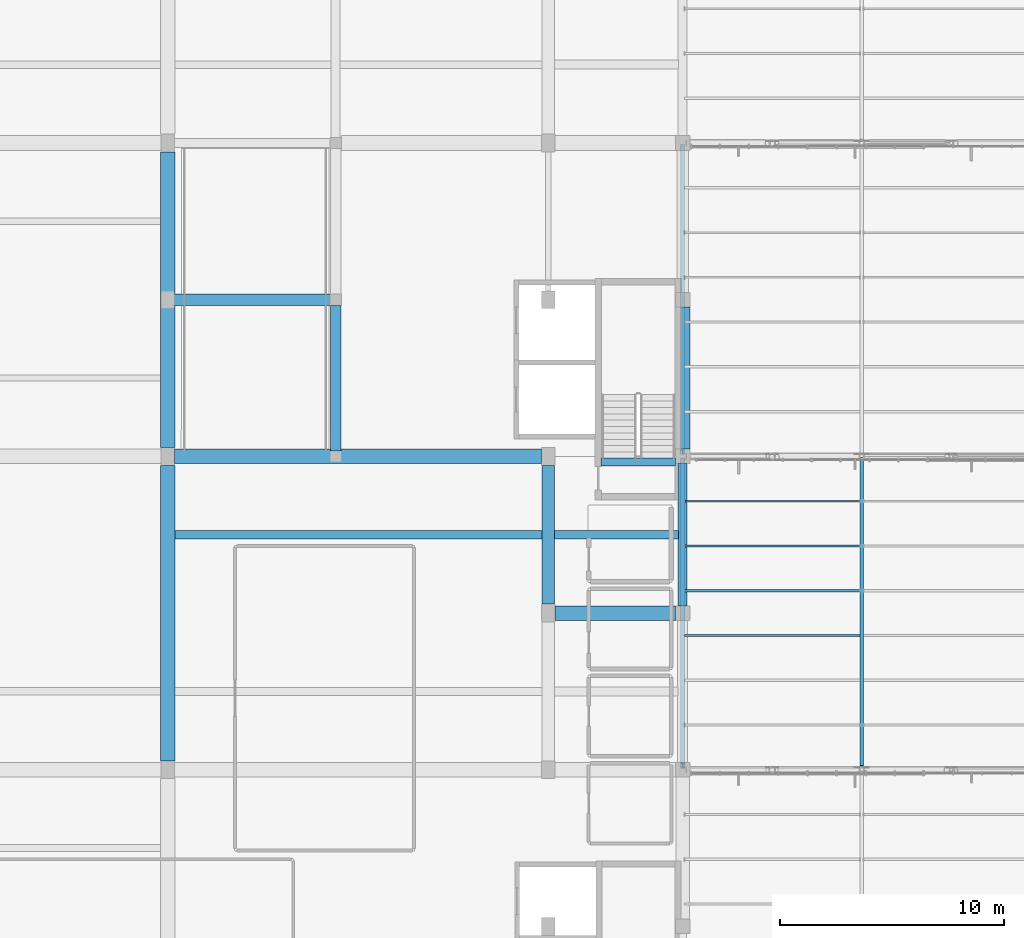
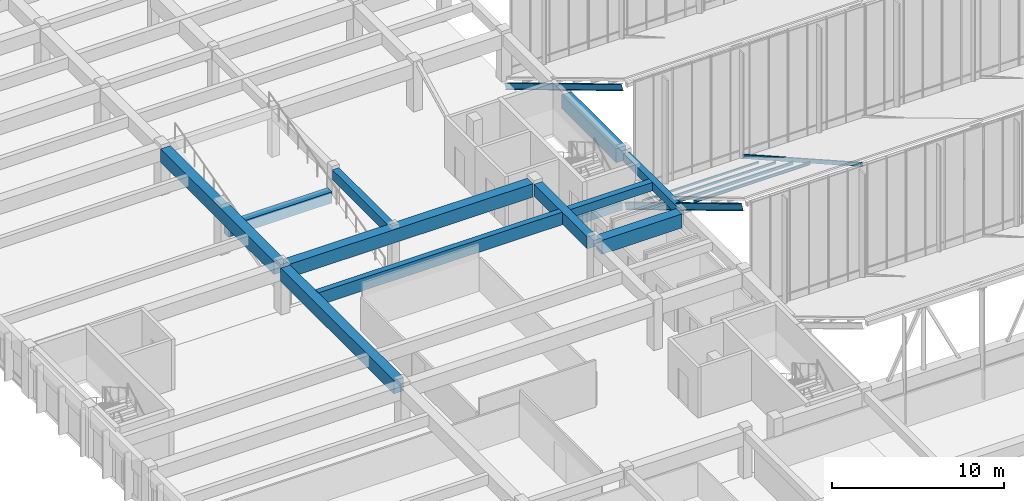
# One storey, part 39 of 155: 14 beams, 5 members.
"""IFC4 building model written with IfcOpenShell, lengths in metres."""

from ifc_helpers import new_model, si_unit, direction, frame, origin, origin_2d, place, context, subcontext, project, spatial, rectangle, hollow_rectangle, i_section, extrude, material, material_profile, profile_set, type_object, element, save


model = new_model("IFC4")

# Units and contexts
model_context = context("Model", 3, precision=1e-05, world=origin(), true_north=direction((0.0, 1.0)))
body_context = subcontext(model_context, "Body", "Model", "MODEL_VIEW")
ifc_project = project(units=[si_unit("LENGTHUNIT", "METRE"), si_unit("AREAUNIT", "SQUARE_METRE"), si_unit("VOLUMEUNIT", "CUBIC_METRE"), si_unit("PLANEANGLEUNIT", "RADIAN"), si_unit("MASSUNIT", "GRAM", prefix="KILO")], contexts=[model_context])

# Site, building, storey
site_placement = place(None, origin())
site = spatial("IfcSite", under=ifc_project, at=site_placement, CompositionType="ELEMENT")
building_placement = place(site_placement, origin())
building = spatial("IfcBuilding", under=site, at=building_placement, Name="Larkveld Mobility Hub", CompositionType="ELEMENT")
storey_placement = place(building_placement, frame((0.0, 0.0, 8.39990234375)))
storey = spatial("IfcBuildingStorey", under=building, at=storey_placement, Name="L02", CompositionType="ELEMENT", Elevation=8.39990234375)

# Beams
ifc_material_1 = material(Name="Precast concrete C50/60", Category="concrete")
ifc_material_profile_1 = material_profile(ifc_material_1, rectangle(XDim=0.3798828125, YDim=0.89990234375, at=origin_2d()), Name="PC DT 380x900")
ifc_profile_set_1 = profile_set([ifc_material_profile_1], Name="Precast concrete C50/60")
beam_type_1 = type_object("IfcBeamType", Name="BM-DT3890", PredefinedType="T_BEAM", material=ifc_profile_set_1)
beam_1_placement = place(storey_placement, frame((129.320068359375, 52.5, 2.920166015625), z_axis=(1.0, 0.0, 0.0), x_axis=(0.0, 1.0, 0.0)))
element("IfcBeam", 1, at=beam_1_placement, inside=storey, type_object=beam_type_1, Name="Precast Double-Tee Stem L02-1087", PredefinedType="T_BEAM", context=body_context, shape_type="SweptSolid", body=[
    extrude(rectangle(XDim=0.3798828125, YDim=0.89990234375, at=origin_2d()), origin(), (0.0, 0.0, 1.0), 16.409912109375),
])
ifc_material_profile_2 = material_profile(ifc_material_1, rectangle(XDim=0.64990234375, YDim=0.949951171875, at=origin_2d()), Name="PC ITB 650x950")
ifc_profile_set_2 = profile_set([ifc_material_profile_2], Name="Precast concrete C50/60")
beam_type_2 = type_object("IfcBeamType", Name="BM-ITB6595", PredefinedType="T_BEAM", material=ifc_profile_set_2)
beam_2_placement = place(storey_placement, frame((129.300048828125, 56.0, 2.885009765625), z_axis=(1.0, 0.0, 0.0), x_axis=(0.0, 1.0, 0.0)))
element("IfcBeam", 2, at=beam_2_placement, inside=storey, type_object=beam_type_2, Name="Primary E-W Girder L02-0517", PredefinedType="T_BEAM", context=body_context, shape_type="SweptSolid", body=[
    extrude(rectangle(XDim=0.64990234375, YDim=0.949951171875, at=origin_2d()), origin(), (0.0, 0.0, 1.0), 16.39990234375),
])
for number, where, z_axis, x_axis, name in (
    (3, (129.0, 42.39990234375, 2.885009765625), (0.0, 1.0, 0.0), (-1.0, 0.0, 0.0), "Primary N-S Girder L02-0645"),
    (4, (129.0, 56.39990234375, 2.885009765625), (0.0, 1.0, 0.0), (-1.0, 0.0, 0.0), "Primary N-S Girder L02-0646"),
):
    element("IfcBeam", number, at=place(storey_placement, frame(where, z_axis=z_axis, x_axis=x_axis)), inside=storey, type_object=beam_type_2, Name=name, PredefinedType="T_BEAM", context=body_context, shape_type="SweptSolid", body=[
        extrude(rectangle(XDim=0.64990234375, YDim=0.949951171875, at=origin_2d()), origin(), (0.0, 0.0, 1.0), 13.2001953125),
    ])
ifc_material_2 = material(Name="Concrete C40/50", Category="concrete")
ifc_material_profile_3 = material_profile(ifc_material_2, rectangle(XDim=0.35009765625, YDim=0.550048828125, at=origin_2d()), Name="RC BM 350x550")
ifc_profile_set_3 = profile_set([ifc_material_profile_3], Name="Concrete C40/50")
beam_type_3 = type_object("IfcBeamType", Name="BM-RC3555", PredefinedType="BEAM", material=ifc_profile_set_3)
beam_3_placement = place(storey_placement, frame((148.360107421875, 55.75, -0.27001953125), z_axis=(1.0, 0.0, 0.0), x_axis=(0.0, 1.0, 0.0)))
element("IfcBeam", 5, at=beam_3_placement, inside=storey, type_object=beam_type_3, Name="Core C2 Stair Header Beam L02", PredefinedType="BEAM", context=body_context, shape_type="SweptSolid", body=[
    extrude(rectangle(XDim=0.35009765625, YDim=0.550048828125, at=origin_2d()), origin(), (0.0, 0.0, 1.0), 3.309814453125),
])
ifc_material_profile_4 = material_profile(ifc_material_2, rectangle(XDim=0.39990234375, YDim=0.60009765625, at=origin_2d()), Name="RC BM 400x600")
ifc_profile_set_4 = profile_set([ifc_material_profile_4], Name="Concrete C40/50")
beam_type_4 = type_object("IfcBeamType", Name="BM-RC4060", PredefinedType="BEAM", material=ifc_profile_set_4)
beam_4_placement = place(storey_placement, frame((152.0, 49.324951171875, 3.06005859375), z_axis=(0.0, 1.0, 0.0), x_axis=(-1.0, 0.0, 0.0)))
element("IfcBeam", 6, at=beam_4_placement, inside=storey, type_object=beam_type_4, Name="Primary N-S Girder L02-0677", PredefinedType="BEAM", context=body_context, shape_type="SweptSolid", body=[
    extrude(rectangle(XDim=0.39990234375, YDim=0.60009765625, at=origin_2d()), origin(), (0.0, 0.0, 1.0), 6.35009765625),
])
beam_5_placement = place(storey_placement, frame((146.27001953125, 52.5, 3.070068359375), z_axis=(1.0, 0.0, 0.0), x_axis=(0.0, 1.0, 0.0)))
element("IfcBeam", 7, at=beam_5_placement, inside=storey, type_object=beam_type_4, Name="Concourse Spine Joist L02-1088", PredefinedType="BEAM", context=body_context, shape_type="SweptSolid", body=[
    extrude(rectangle(XDim=0.39990234375, YDim=0.60009765625, at=origin_2d()), origin(), (0.0, 0.0, 1.0), 5.534912109375),
])
ifc_material_profile_5 = material_profile(ifc_material_2, rectangle(XDim=0.449951171875, YDim=0.699951171875, at=origin_2d()), Name="RC BM 450x700")
ifc_profile_set_5 = profile_set([ifc_material_profile_5], Name="Concrete C40/50")
beam_type_5 = type_object("IfcBeamType", Name="BM-RC4570", PredefinedType="BEAM", material=ifc_profile_set_5)
beam_6_placement = place(storey_placement, frame((136.5, 56.25, 3.010009765625), z_axis=(0.0, 1.0, 0.0), x_axis=(-1.0, 0.0, 0.0)))
element("IfcBeam", 8, at=beam_6_placement, inside=storey, type_object=beam_type_5, Name="Ramp Edge Girder L02-0691", PredefinedType="BEAM", context=body_context, shape_type="SweptSolid", body=[
    extrude(rectangle(XDim=0.449951171875, YDim=0.699951171875, at=origin_2d()), origin(), (0.0, 0.0, 1.0), 6.5),
])
ifc_material_profile_6 = material_profile(ifc_material_2, rectangle(XDim=0.5, YDim=0.800048828125, at=origin_2d()), Name="RC BM 500x800")
ifc_profile_set_6 = profile_set([ifc_material_profile_6], Name="Concrete C40/50")
beam_type_6 = type_object("IfcBeamType", Name="BM-RC5080", PredefinedType="BEAM", material=ifc_profile_set_6)
beam_7_placement = place(storey_placement, frame((129.280029296875, 63.0, 1.402099609375), z_axis=(1.0, 0.0, 0.0), x_axis=(0.0, 1.0, 0.0)))
element("IfcBeam", 9, at=beam_7_placement, inside=storey, type_object=beam_type_6, Name="EV Ramp Mid Support Beam L02-1775", PredefinedType="BEAM", context=body_context, shape_type="SweptSolid", body=[
    extrude(rectangle(XDim=0.5, YDim=0.800048828125, at=origin_2d()), origin(), (0.0, 0.0, 1.0), 6.989990234375),
])
ifc_material_profile_7 = material_profile(ifc_material_2, rectangle(XDim=0.550048828125, YDim=0.85009765625, at=origin_2d()), Name="RC BM 550x850")
ifc_profile_set_7 = profile_set([ifc_material_profile_7], Name="Concrete C40/50")
beam_type_7 = type_object("IfcBeamType", Name="BM-RC5585", PredefinedType="BEAM", material=ifc_profile_set_7)
beam_8_placement = place(storey_placement, frame((146.0, 49.39990234375, 2.93505859375), z_axis=(0.0, 1.0, 0.0), x_axis=(-1.0, 0.0, 0.0)))
element("IfcBeam", 10, at=beam_8_placement, inside=storey, type_object=beam_type_7, Name="Primary N-S Girder L02-0664", PredefinedType="BEAM", context=body_context, shape_type="SweptSolid", body=[
    extrude(rectangle(XDim=0.550048828125, YDim=0.85009765625, at=origin_2d()), origin(), (0.0, 0.0, 1.0), 6.2001953125),
])
ifc_material_profile_8 = material_profile(ifc_material_2, rectangle(XDim=0.64990234375, YDim=1.0, at=origin_2d()), Name="RC BM 650x1000")
ifc_profile_set_8 = profile_set([ifc_material_profile_8], Name="Concrete C40/50")
beam_type_8 = type_object("IfcBeamType", Name="BM-RC65100", PredefinedType="BEAM", material=ifc_profile_set_8)
beam_9_placement = place(storey_placement, frame((146.300048828125, 49.0, 2.860107421875), z_axis=(1.0, 0.0, 0.0), x_axis=(0.0, 1.0, 0.0)))
element("IfcBeam", 11, at=beam_9_placement, inside=storey, type_object=beam_type_8, Name="Primary E-W Girder L02-0515", PredefinedType="BEAM", context=body_context, shape_type="SweptSolid", body=[
    extrude(rectangle(XDim=0.64990234375, YDim=1.0, at=origin_2d()), origin(), (0.0, 0.0, 1.0), 5.375),
])
beam_10_placement = place(storey_placement, frame((152.0, 56.324951171875, 2.860107421875), z_axis=(0.0, 1.0, 0.0), x_axis=(-1.0, 0.0, 0.0)))
element("IfcBeam", 12, at=beam_10_placement, inside=storey, type_object=beam_type_8, Name="Primary N-S Girder L02-0678", PredefinedType="BEAM", context=body_context, shape_type="SweptSolid", body=[
    extrude(rectangle(XDim=0.64990234375, YDim=1.0, at=origin_2d()), origin(), (0.0, 0.0, 1.0), 6.35009765625),
])
ifc_material_3 = material(Name="Steel S355JR", Category="steel")
ifc_material_profile_9 = material_profile(ifc_material_3, i_section(OverallWidth=0.179931640625, OverallDepth=0.39990234375, WebThickness=0.008544921875, FlangeThickness=0.013427734375, FilletRadius=0.02099609375, at=origin_2d()), Name="IPE 400")
ifc_profile_set_9 = profile_set([ifc_material_profile_9], Name="Steel S355JR")
beam_type_9 = type_object("IfcBeamType", Name="BM-STIPE400", PredefinedType="BEAM", material=ifc_profile_set_9)
beam_11_placement = place(storey_placement, frame((152.0, 56.179931640625, 7.708984375), z_axis=(0.0, 0.85749969687, -0.514484469998), x_axis=(-1.0, 0.0, 0.0)))
element("IfcBeam", 13, at=beam_11_placement, inside=storey, type_object=beam_type_9, Name="ROOF TRUSS Sawtooth Edge Rafter B3-152", PredefinedType="BEAM", context=body_context, shape_type="SweptSolid", body=[
    extrude(i_section(OverallWidth=0.179931640625, OverallDepth=0.39990234375, WebThickness=0.008544921875, FlangeThickness=0.013427734375, FilletRadius=0.02099609375, at=origin_2d()), origin(), (0.0, 0.0, 1.0), 15.906982421875),
])
ifc_material_profile_10 = material_profile(ifc_material_3, i_section(OverallWidth=0.18994140625, OverallDepth=0.449951171875, WebThickness=0.009521484375, FlangeThickness=0.0146484375, FilletRadius=0.02099609375, at=origin_2d()), Name="IPE 450")
ifc_profile_set_10 = profile_set([ifc_material_profile_10], Name="Steel S355JR")
beam_type_10 = type_object("IfcBeamType", Name="BM-STIPE450", PredefinedType="BEAM", material=ifc_profile_set_10)
beam_12_placement = place(storey_placement, frame((152.0, 42.179931640625, 7.68408203125), z_axis=(0.0, 0.857492925713, -0.514495755428), x_axis=(-1.0, 0.0, 0.0)))
element("IfcBeam", 14, at=beam_12_placement, inside=storey, type_object=beam_type_10, Name="ROOF TRUSS Sawtooth Edge Rafter B2-152", PredefinedType="BEAM", context=body_context, shape_type="SweptSolid", body=[
    extrude(i_section(OverallWidth=0.18994140625, OverallDepth=0.449951171875, WebThickness=0.009521484375, FlangeThickness=0.0146484375, FilletRadius=0.02099609375, at=origin_2d()), origin(), (0.0, 0.0, 1.0), 15.906982421875),
])

# Members
ifc_material_profile_11 = material_profile(ifc_material_3, hollow_rectangle(XDim=0.14990234375, YDim=0.25, WallThickness=0.010009765625, at=origin_2d()), Name="RHS 250x150x10")
ifc_profile_set_11 = profile_set([ifc_material_profile_11], Name="Steel S355JR")
member_type_1 = type_object("IfcMemberType", Name="MB-CH-RHS250", PredefinedType="CHORD", material=ifc_profile_set_11)
member_1_placement = place(storey_placement, frame((160.0, 42.1201171875, 7.9501953125), z_axis=(0.0, 0.870759014799, -0.491710014283), x_axis=(-1.0, 0.0, 0.0)))
element("IfcMember", 15, at=member_1_placement, inside=storey, type_object=member_type_1, Name="ROOF TRUSS Sloped Rafter Chord B2-160", PredefinedType="CHORD", context=body_context, shape_type="SweptSolid", body=[
    extrude(hollow_rectangle(XDim=0.14990234375, YDim=0.25, WallThickness=0.010009765625, at=origin_2d()), origin(), (0.0, 0.0, 1.0), 15.802001953125),
])
ifc_material_profile_12 = material_profile(ifc_material_3, i_section(OverallWidth=0.10009765625, OverallDepth=0.199951171875, WebThickness=0.005615234375, FlangeThickness=0.008544921875, FilletRadius=0.011962890625, at=origin_2d()), Name="IPE 200")
ifc_profile_set_12 = profile_set([ifc_material_profile_12], Name="Steel S355JR")
member_type_2 = type_object("IfcMemberType", Name="MB-PR-IPE200", PredefinedType="PURLIN", material=ifc_profile_set_12)
member_2_placement = place(storey_placement, frame((152.080078125, 48.0, 4.507080078125), z_axis=(1.0, 0.0, 0.0), x_axis=(0.0, 1.0, 0.0)))
element("IfcMember", 16, at=member_2_placement, inside=storey, type_object=member_type_2, Name="Sawtooth Roof Purlin B2-3.1", PredefinedType="PURLIN", context=body_context, shape_type="SweptSolid", body=[
    extrude(i_section(OverallWidth=0.10009765625, OverallDepth=0.199951171875, WebThickness=0.005615234375, FlangeThickness=0.008544921875, FilletRadius=0.011962890625, at=origin_2d()), origin(), (0.0, 0.0, 1.0), 7.83984375),
])
ifc_material_profile_13 = material_profile(ifc_material_3, hollow_rectangle(XDim=0.070068359375, YDim=0.139892578125, WallThickness=0.00634765625, at=origin_2d()), Name="RHS 140x70x6.3")
ifc_profile_set_13 = profile_set([ifc_material_profile_13], Name="Steel S355JR")
member_type_3 = type_object("IfcMemberType", Name="MB-PR-RHS140", PredefinedType="PURLIN", material=ifc_profile_set_13)
member_3_placement = place(storey_placement, frame((152.080078125, 54.0, 0.93701171875), z_axis=(1.0, 0.0, 0.0), x_axis=(0.0, 1.0, 0.0)))
element("IfcMember", 17, at=member_3_placement, inside=storey, type_object=member_type_3, Name="Sawtooth Roof Purlin B2-6.1", PredefinedType="PURLIN", context=body_context, shape_type="SweptSolid", body=[
    extrude(hollow_rectangle(XDim=0.070068359375, YDim=0.139892578125, WallThickness=0.00634765625, at=origin_2d()), origin(), (0.0, 0.0, 1.0), 7.83984375),
])
ifc_material_profile_14 = material_profile(ifc_material_3, hollow_rectangle(XDim=0.080078125, YDim=0.159912109375, WallThickness=0.008056640625, at=origin_2d()), Name="RHS 160x80x8")
ifc_profile_set_14 = profile_set([ifc_material_profile_14], Name="Steel S355JR")
member_type_4 = type_object("IfcMemberType", Name="MB-PR-RHS160", PredefinedType="PURLIN", material=ifc_profile_set_14)
member_4_placement = place(storey_placement, frame((152.080078125, 52.0, 2.127197265625), z_axis=(1.0, 0.0, 0.0), x_axis=(0.0, 1.0, 0.0)))
element("IfcMember", 18, at=member_4_placement, inside=storey, type_object=member_type_4, Name="Sawtooth Roof Purlin B2-5.1", PredefinedType="PURLIN", context=body_context, shape_type="SweptSolid", body=[
    extrude(hollow_rectangle(XDim=0.080078125, YDim=0.159912109375, WallThickness=0.008056640625, at=origin_2d()), origin(), (0.0, 0.0, 1.0), 7.83984375),
])
ifc_material_profile_15 = material_profile(ifc_material_3, hollow_rectangle(XDim=0.10009765625, YDim=0.199951171875, WallThickness=0.008056640625, at=origin_2d()), Name="RHS 200x100x8")
ifc_profile_set_15 = profile_set([ifc_material_profile_15], Name="Steel S355JR")
member_type_5 = type_object("IfcMemberType", Name="MB-PR-RHS200", PredefinedType="PURLIN", material=ifc_profile_set_15)
member_5_placement = place(storey_placement, frame((152.080078125, 50.0, 3.30712890625), z_axis=(1.0, 0.0, 0.0), x_axis=(0.0, 1.0, 0.0)))
element("IfcMember", 19, at=member_5_placement, inside=storey, type_object=member_type_5, Name="Sawtooth Roof Purlin B2-4.1", PredefinedType="PURLIN", context=body_context, shape_type="SweptSolid", body=[
    extrude(hollow_rectangle(XDim=0.10009765625, YDim=0.199951171875, WallThickness=0.008056640625, at=origin_2d()), origin(), (0.0, 0.0, 1.0), 7.83984375),
])

save(model, "model.ifc")
